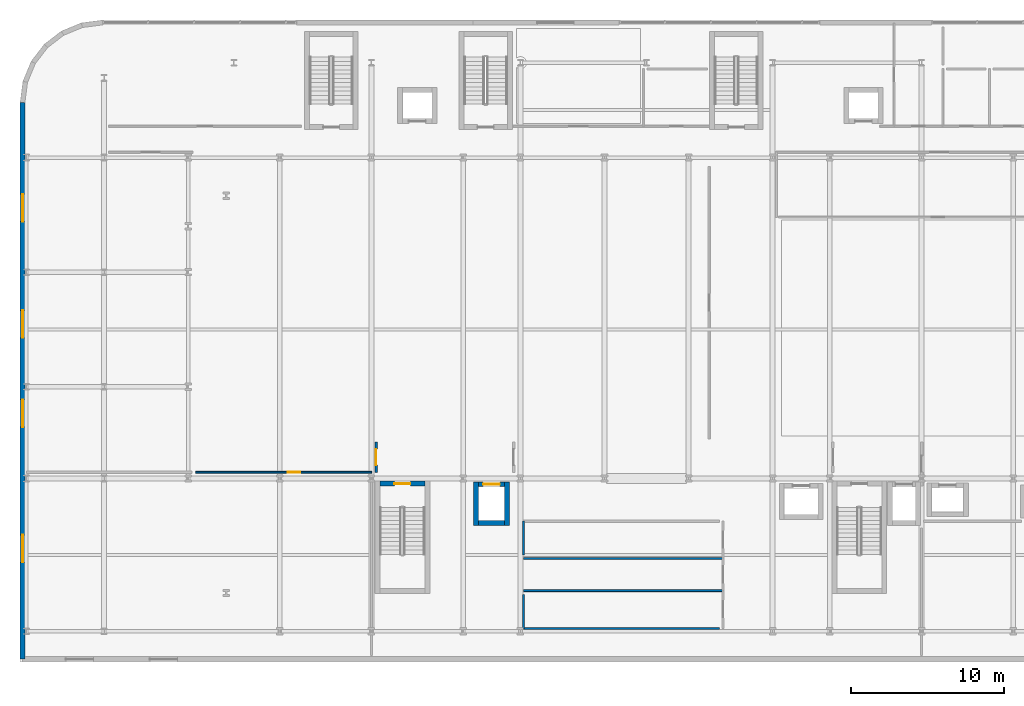
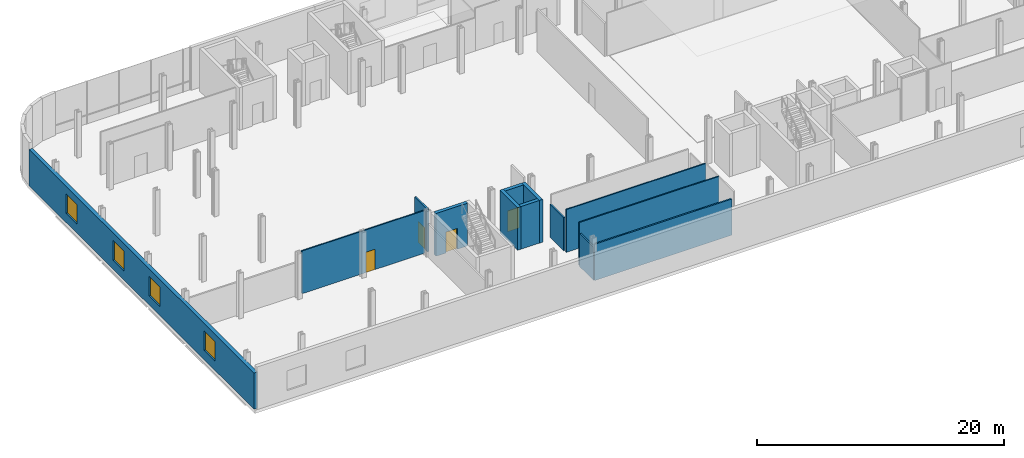
# One storey, part 17 of 25: 13 walls, 4 doors, 4 windows, 8 openings.
"""IFC4 building model written with IfcOpenShell, lengths in metres."""

from ifc_helpers import new_model, si_unit, direction, frame, frame_2d, origin, place, context, subcontext, project, spatial, rectangle, extrude, material, layer, layer_set, type_object, element, fill, save


model = new_model("IFC4")

# Units and contexts
model_context = context("Model", 3, precision=1e-05, world=origin(), true_north=direction((0.0, 1.0)))
body_context = subcontext(model_context, "Body", "Model", "MODEL_VIEW")
ifc_project = project(units=[si_unit("LENGTHUNIT", "METRE"), si_unit("AREAUNIT", "SQUARE_METRE"), si_unit("VOLUMEUNIT", "CUBIC_METRE"), si_unit("PLANEANGLEUNIT", "RADIAN"), si_unit("MASSUNIT", "GRAM", prefix="KILO")], contexts=[model_context])

# Site, building, storey
site_placement = place(None, origin())
site = spatial("IfcSite", under=ifc_project, at=site_placement, CompositionType="ELEMENT")
building_placement = place(site_placement, origin())
building = spatial("IfcBuilding", under=site, at=building_placement, Name="Brevholm Reach", CompositionType="ELEMENT")
storey_placement = place(building_placement, frame((0.0, 0.0, 4.5)))
storey = spatial("IfcBuildingStorey", under=building, at=storey_placement, Name="L01", CompositionType="ELEMENT", Elevation=4.5)

# Wall, opening, door
ifc_material_1 = material(Name="Concrete C60/75", Category="concrete")
ifc_layer_1 = layer(ifc_material_1, 0.320068359375)
ifc_layer_set_1 = layer_set([ifc_layer_1], Name="Concrete C60/75")
wall_type_1 = type_object("IfcWallType", Name="WAL-COR-320", PredefinedType="SHEAR", material=ifc_layer_set_1)
wall_1_placement = place(storey_placement, frame((15.5, 9.659912109375, 0.0), z_axis=(0.0, 0.0, 1.0), x_axis=(-1.0, 0.0, 0.0)))
wall_1 = element("IfcWall", 1, at=wall_1_placement, inside=storey, type_object=wall_type_1, Name="L01 Escape Stair ST-1 Core Wall N", PredefinedType="SHEAR", context=body_context, shape_type="SweptSolid", body=[
    extrude(rectangle(XDim=2.949951171875, YDim=0.320068359375, at=frame_2d((1.47509765625, 0.0))), origin(), (0.0, 0.0, 1.0), 4.219970703125),
])
opening_1_placement = place(wall_1_placement, frame((0.949951171875, 0.0, 0.0)))
opening_1 = element("IfcOpeningElement", 2, at=opening_1_placement, cuts=wall_1, Name="Opening SD-ST-1", PredefinedType="OPENING", context=body_context, shape_type="SweptSolid", body=[
    extrude(rectangle(XDim=1.050048828125, YDim=2.06005859375, at=frame_2d((0.52490234375, 1.030029296875))), frame((0.0, 0.169921875, 0.0), z_axis=(0.0, -1.0, 0.0), x_axis=(1.0, 0.0, 0.0)), (0.0, 0.0, 1.0), 0.340087890625),
])
ifc_material_2 = material(Name="Hardwood-Lipped Steel-Core Fire and Smoke Door", Category="steel")
door_type_1 = type_object("IfcDoorType", Name="DOR-INT-FD60S", OperationType="NOTDEFINED", PredefinedType="DOOR", material=ifc_material_2)
door_1_placement = place(opening_1_placement, origin())
door_1 = element("IfcDoor", 3, at=door_1_placement, inside=storey, type_object=door_type_1, Name="L01 Protected Stair ST-1 Lobby Door", OperationType="SINGLE_SWING_LEFT", OverallHeight=2.06005859375, OverallWidth=1.050048828125, PredefinedType="DOOR", context=body_context, shape_type="SweptSolid", body=[
    extrude(rectangle(XDim=1.050048828125, YDim=2.06005859375, at=frame_2d((0.52490234375, 1.030029296875))), frame((0.0, 0.02490234375, 0.0), z_axis=(0.0, -1.0, 0.0), x_axis=(1.0, 0.0, 0.0)), (0.0, 0.0, 1.0), 0.050048828125),
])
fill(opening_1, door_1)

# Walls
for number, where, z_axis, x_axis, name in (
    (4, (18.830078125, 6.919921875, 0.0), (0.0, 0.0, 1.0), (0.0, 1.0, 0.0), "L01 Lift FFL-1 Shaft Wall W"),
    (5, (20.8701171875, 6.919921875, 0.0), (0.0, 0.0, 1.0), (0.0, 1.0, 0.0), "L01 Lift FFL-1 Shaft Wall E"),
):
    element("IfcWall", number, at=place(storey_placement, frame(where, z_axis=z_axis, x_axis=x_axis)), inside=storey, type_object=wall_type_1, Name=name, PredefinedType="SHEAR", context=body_context, shape_type="SweptSolid", body=[
        extrude(rectangle(XDim=2.860107421875, YDim=0.320068359375, at=frame_2d((1.43017578125, 0.0))), origin(), (0.0, 0.0, 1.0), 4.219970703125),
    ])
wall_2_placement = place(storey_placement, frame((18.989990234375, 7.080078125, 0.0), z_axis=(0.0, 0.0, 1.0), x_axis=(1.0, 0.0, 0.0)))
element("IfcWall", 6, at=wall_2_placement, inside=storey, type_object=wall_type_1, Name="L01 Lift FFL-1 Shaft Wall S", PredefinedType="SHEAR", context=body_context, shape_type="SweptSolid", body=[
    extrude(rectangle(XDim=1.719970703125, YDim=0.320068359375, at=frame_2d((0.85986328125, 0.0))), origin(), (0.0, 0.0, 1.0), 4.219970703125),
])

# Wall, opening, door
wall_3_placement = place(storey_placement, frame((18.989990234375, 9.6201171875, 0.0), z_axis=(0.0, 0.0, 1.0), x_axis=(1.0, 0.0, 0.0)))
wall_3 = element("IfcWall", 7, at=wall_3_placement, inside=storey, type_object=wall_type_1, Name="L01 Lift FFL-1 Shaft Wall N", PredefinedType="SHEAR", context=body_context, shape_type="SweptSolid", body=[
    extrude(rectangle(XDim=1.719970703125, YDim=0.320068359375, at=frame_2d((0.85986328125, 0.0))), origin(), (0.0, 0.0, 1.0), 4.219970703125),
])
opening_2_placement = place(wall_3_placement, frame((0.31005859375, 0.0, 0.0)))
opening_2 = element("IfcOpeningElement", 8, at=opening_2_placement, cuts=wall_3, Name="Opening LD-FFL-1", PredefinedType="OPENING", context=body_context, shape_type="SweptSolid", body=[
    extrude(rectangle(XDim=1.10009765625, YDim=2.06005859375, at=frame_2d((0.550048828125, 1.030029296875))), frame((0.0, 0.169921875, 0.0), z_axis=(0.0, -1.0, 0.0), x_axis=(1.0, 0.0, 0.0)), (0.0, 0.0, 1.0), 0.340087890625),
])
ifc_material_3 = material(Name="Brushed Stainless Steel Fire-Rated Sliding Lift Door", Category="steel")
door_type_2 = type_object("IfcDoorType", Name="DOR-LFT-1100", OperationType="NOTDEFINED", PredefinedType="DOOR", material=ifc_material_3)
door_2_placement = place(opening_2_placement, origin())
door_2 = element("IfcDoor", 9, at=door_2_placement, inside=storey, type_object=door_type_2, Name="L01 Lift FFL-1 Sliding Landing Door", OperationType="SLIDING_TO_LEFT", OverallHeight=2.06005859375, OverallWidth=1.10009765625, PredefinedType="DOOR", context=body_context, shape_type="SweptSolid", body=[
    extrude(rectangle(XDim=1.10009765625, YDim=2.06005859375, at=frame_2d((0.550048828125, 1.030029296875))), frame((0.0, 0.02490234375, 0.0), z_axis=(0.0, -1.0, 0.0), x_axis=(1.0, 0.0, 0.0)), (0.0, 0.0, 1.0), 0.050048828125),
])
fill(opening_2, door_2)

# Wall, openings, windows
ifc_material_4 = material(Name="Concrete C40/50", Category="concrete")
ifc_layer_2 = layer(ifc_material_4, 0.340087890625)
ifc_layer_set_2 = layer_set([ifc_layer_2], Name="Concrete C40/50")
wall_type_2 = type_object("IfcWallType", Name="WAL-EXT-340", PredefinedType="STANDARD", material=ifc_layer_set_2)
wall_4_placement = place(storey_placement, frame((-10.830078125, 34.60009765625, 0.0), z_axis=(0.0, 0.0, 1.0), x_axis=(0.0, -1.0, 0.0)))
wall_4 = element("IfcWall", 10, at=wall_4_placement, inside=storey, type_object=wall_type_2, Name="L01 Facade Wall WAL-L01-W", PredefinedType="STANDARD", context=body_context, shape_type="SweptSolid", body=[
    extrude(rectangle(XDim=36.43017578125, YDim=0.340087890625, at=frame_2d((18.215087890625, 0.0))), origin(), (0.0, 0.0, 1.0), 3.582763671875),
])
opening_3_placement = place(wall_4_placement, frame((28.300048828125, 0.0, 0.89990234375)))
opening_3 = element("IfcOpeningElement", 11, at=opening_3_placement, cuts=wall_4, Name="Opening WN-01", PredefinedType="OPENING", context=body_context, shape_type="SweptSolid", body=[
    extrude(rectangle(XDim=1.800048828125, YDim=1.949951171875, at=frame_2d((0.89990234375, 0.97509765625))), frame((0.0, 0.179931640625, 0.0), z_axis=(0.0, -1.0, 0.0), x_axis=(1.0, 0.0, 0.0)), (0.0, 0.0, 1.0), 0.360107421875),
])
opening_4_placement = place(wall_4_placement, frame((19.449951171875, 0.0, 0.89990234375)))
opening_4 = element("IfcOpeningElement", 12, at=opening_4_placement, cuts=wall_4, Name="Opening WN-01", PredefinedType="OPENING", context=body_context, shape_type="SweptSolid", body=[
    extrude(rectangle(XDim=1.800048828125, YDim=1.949951171875, at=frame_2d((0.89990234375, 0.97509765625))), frame((0.0, 0.179931640625, 0.0), z_axis=(0.0, -1.0, 0.0), x_axis=(1.0, 0.0, 0.0)), (0.0, 0.0, 1.0), 0.360107421875),
])
opening_5_placement = place(wall_4_placement, frame((13.60009765625, 0.0, 0.89990234375)))
opening_5 = element("IfcOpeningElement", 13, at=opening_5_placement, cuts=wall_4, Name="Opening WN-01", PredefinedType="OPENING", context=body_context, shape_type="SweptSolid", body=[
    extrude(rectangle(XDim=1.800048828125, YDim=1.949951171875, at=frame_2d((0.89990234375, 0.97509765625))), frame((0.0, 0.179931640625, 0.0), z_axis=(0.0, -1.0, 0.0), x_axis=(1.0, 0.0, 0.0)), (0.0, 0.0, 1.0), 0.360107421875),
])
opening_6_placement = place(wall_4_placement, frame((6.0, 0.0, 0.89990234375)))
opening_6 = element("IfcOpeningElement", 14, at=opening_6_placement, cuts=wall_4, Name="Opening WN-01", PredefinedType="OPENING", context=body_context, shape_type="SweptSolid", body=[
    extrude(rectangle(XDim=1.800048828125, YDim=1.949951171875, at=frame_2d((0.89990234375, 0.97509765625))), frame((0.0, 0.179931640625, 0.0), z_axis=(0.0, -1.0, 0.0), x_axis=(1.0, 0.0, 0.0)), (0.0, 0.0, 1.0), 0.360107421875),
])
ifc_material_5 = material(Name="Dark Anodised Aluminium and Solar-Control IGU Glass", Category="aluminium")
window_type = type_object("IfcWindowType", Name="WIN-SCH-1800", PartitioningType="SINGLE_PANEL", PredefinedType="WINDOW", material=ifc_material_5)
window_1_placement = place(opening_3_placement, origin())
window_1 = element("IfcWindow", 15, at=window_1_placement, inside=storey, type_object=window_type, Name="L01 Window WIN-L01-W-1", OverallHeight=1.949951171875, OverallWidth=1.800048828125, PartitioningType="SINGLE_PANEL", PredefinedType="WINDOW", context=body_context, shape_type="SweptSolid", body=[
    extrude(rectangle(XDim=1.800048828125, YDim=1.949951171875, at=frame_2d((0.89990234375, 0.97509765625))), frame((0.0, 0.030029296875, 0.0), z_axis=(0.0, -1.0, 0.0), x_axis=(1.0, 0.0, 0.0)), (0.0, 0.0, 1.0), 0.06005859375),
])
fill(opening_3, window_1)
window_2_placement = place(opening_4_placement, origin())
window_2 = element("IfcWindow", 16, at=window_2_placement, inside=storey, type_object=window_type, Name="L01 Window WIN-L01-W-2", OverallHeight=1.949951171875, OverallWidth=1.800048828125, PartitioningType="SINGLE_PANEL", PredefinedType="WINDOW", context=body_context, shape_type="SweptSolid", body=[
    extrude(rectangle(XDim=1.800048828125, YDim=1.949951171875, at=frame_2d((0.89990234375, 0.97509765625))), frame((0.0, 0.030029296875, 0.0), z_axis=(0.0, -1.0, 0.0), x_axis=(1.0, 0.0, 0.0)), (0.0, 0.0, 1.0), 0.06005859375),
])
fill(opening_4, window_2)
window_3_placement = place(opening_5_placement, origin())
window_3 = element("IfcWindow", 17, at=window_3_placement, inside=storey, type_object=window_type, Name="L01 Window WIN-L01-W-3", OverallHeight=1.949951171875, OverallWidth=1.800048828125, PartitioningType="SINGLE_PANEL", PredefinedType="WINDOW", context=body_context, shape_type="SweptSolid", body=[
    extrude(rectangle(XDim=1.800048828125, YDim=1.949951171875, at=frame_2d((0.89990234375, 0.97509765625))), frame((0.0, 0.030029296875, 0.0), z_axis=(0.0, -1.0, 0.0), x_axis=(1.0, 0.0, 0.0)), (0.0, 0.0, 1.0), 0.06005859375),
])
fill(opening_5, window_3)
window_4_placement = place(opening_6_placement, origin())
window_4 = element("IfcWindow", 18, at=window_4_placement, inside=storey, type_object=window_type, Name="L01 Window WIN-L01-W-4", OverallHeight=1.949951171875, OverallWidth=1.800048828125, PartitioningType="SINGLE_PANEL", PredefinedType="WINDOW", context=body_context, shape_type="SweptSolid", body=[
    extrude(rectangle(XDim=1.800048828125, YDim=1.949951171875, at=frame_2d((0.89990234375, 0.97509765625))), frame((0.0, 0.030029296875, 0.0), z_axis=(0.0, -1.0, 0.0), x_axis=(1.0, 0.0, 0.0)), (0.0, 0.0, 1.0), 0.06005859375),
])
fill(opening_6, window_4)

# Walls
ifc_material_6 = material(Name="Acoustic Fire-Rated Classroom Gypsum Partition 120 mm", Category="gypsum")
ifc_layer_3 = layer(ifc_material_6, 0.1201171875)
ifc_layer_set_3 = layer_set([ifc_layer_3], Name="Acoustic Fire-Rated Classroom Gypsum Partition 120 mm")
wall_type_3 = type_object("IfcWallType", Name="WAL-PRT-120", PredefinedType="PARTITIONING", material=ifc_layer_set_3)
for number, where, z_axis, x_axis, name in (
    (19, (21.949951171875, 2.656982421875, 0.0), (0.0, 0.0, 1.0), (1.0, 0.0, 0.0), "L01 Internal Partition 004"),
    (20, (21.949951171875, 4.764892578125, 0.0), (0.0, 0.0, 1.0), (1.0, 0.0, 0.0), "L01 Internal Partition 005"),
):
    element("IfcWall", number, at=place(storey_placement, frame(where, z_axis=z_axis, x_axis=x_axis)), inside=storey, type_object=wall_type_3, Name=name, PredefinedType="PARTITIONING", context=body_context, shape_type="SweptSolid", body=[
        extrude(rectangle(XDim=13.046142578125, YDim=0.1201171875, at=frame_2d((6.52294921875, 0.0))), origin(), (0.0, 0.0, 1.0), 4.219970703125),
    ])

# Wall, opening, door
wall_5_placement = place(storey_placement, frame((0.5, 10.39990234375, 0.0), z_axis=(0.0, 0.0, 1.0), x_axis=(1.0, 0.0, 0.0)))
wall_5 = element("IfcWall", 21, at=wall_5_placement, inside=storey, type_object=wall_type_3, Name="L01 Internal Partition 022", PredefinedType="PARTITIONING", context=body_context, shape_type="SweptSolid", body=[
    extrude(rectangle(XDim=11.51123046875, YDim=0.1201171875, at=frame_2d((5.755615234375, 0.0))), origin(), (0.0, 0.0, 1.0), 4.219970703125),
])
opening_7_placement = place(wall_5_placement, frame((6.005615234375, 0.0, 0.0)))
opening_7 = element("IfcOpeningElement", 22, at=opening_7_placement, cuts=wall_5, Name="Opening ID-02", PredefinedType="OPENING", context=body_context, shape_type="SweptSolid", body=[
    extrude(rectangle(XDim=0.820068359375, YDim=2.02001953125, at=frame_2d((0.41015625, 1.010009765625))), frame((0.0, 0.070068359375, 0.0), z_axis=(0.0, -1.0, 0.0), x_axis=(1.0, 0.0, 0.0)), (0.0, 0.0, 1.0), 0.14013671875),
])
ifc_material_7 = material(Name="Moisture-Resistant Painted Timber Fire-Rated Riser and Service Door", Category="wood")
door_type_3 = type_object("IfcDoorType", Name="DOR-SRV-820", OperationType="NOTDEFINED", PredefinedType="DOOR", material=ifc_material_7)
door_3_placement = place(opening_7_placement, origin())
door_3 = element("IfcDoor", 23, at=door_3_placement, inside=storey, type_object=door_type_3, Name="L01 Internal Door 019", OperationType="SINGLE_SWING_LEFT", OverallHeight=2.02001953125, OverallWidth=0.820068359375, PredefinedType="DOOR", context=body_context, shape_type="SweptSolid", body=[
    extrude(rectangle(XDim=0.820068359375, YDim=2.02001953125, at=frame_2d((0.41015625, 1.010009765625))), frame((0.0, 0.02490234375, 0.0), z_axis=(0.0, -1.0, 0.0), x_axis=(1.0, 0.0, 0.0)), (0.0, 0.0, 1.0), 0.050048828125),
])
fill(opening_7, door_3)

# Walls
ifc_material_8 = material(Name="Twin-Stud Acoustic Fire-Rated Gypsum Partition 140 mm", Category="gypsum")
ifc_layer_4 = layer(ifc_material_8, 0.139892578125)
ifc_layer_set_4 = layer_set([ifc_layer_4], Name="Twin-Stud Acoustic Fire-Rated Gypsum Partition 140 mm")
wall_type_4 = type_object("IfcWallType", Name="WAL-PRT-140", PredefinedType="PARTITIONING", material=ifc_layer_set_4)
wall_6_placement = place(storey_placement, frame((21.949951171875, 0.179931640625, 0.0), z_axis=(0.0, 0.0, 1.0), x_axis=(1.0, 0.0, 0.0)))
element("IfcWall", 24, at=wall_6_placement, inside=storey, type_object=wall_type_4, Name="L01 Internal Partition 038", PredefinedType="PARTITIONING", context=body_context, shape_type="SweptSolid", body=[
    extrude(rectangle(XDim=12.81005859375, YDim=0.139892578125, at=frame_2d((6.405029296875, 0.0))), origin(), (0.0, 0.0, 1.0), 3.582763671875),
])
wall_7_placement = place(storey_placement, frame((21.949951171875, 0.179931640625, 0.0), z_axis=(0.0, 0.0, 1.0), x_axis=(0.0, 1.0, 0.0)))
element("IfcWall", 25, at=wall_7_placement, inside=storey, type_object=wall_type_4, Name="L01 Internal Partition 039", PredefinedType="PARTITIONING", context=body_context, shape_type="SweptSolid", body=[
    extrude(rectangle(XDim=2.237060546875, YDim=0.139892578125, at=frame_2d((1.11865234375, 0.0))), origin(), (0.0, 0.0, 1.0), 3.268310546875),
])
wall_8_placement = place(storey_placement, frame((21.949951171875, 5.0048828125, 0.0), z_axis=(0.0, 0.0, 1.0), x_axis=(0.0, 1.0, 0.0)))
element("IfcWall", 26, at=wall_8_placement, inside=storey, type_object=wall_type_4, Name="L01 Internal Partition 041", PredefinedType="PARTITIONING", context=body_context, shape_type="SweptSolid", body=[
    extrude(rectangle(XDim=2.195068359375, YDim=0.139892578125, at=frame_2d((1.09765625, 0.0))), origin(), (0.0, 0.0, 1.0), 3.268310546875),
])

# Wall, opening, door
ifc_material_9 = material(Name="Twin-Frame Fire-Rated Gypsum Board and Mineral Wool 160 mm", Category="gypsum")
ifc_layer_5 = layer(ifc_material_9, 0.159912109375)
ifc_layer_set_5 = layer_set([ifc_layer_5], Name="Twin-Frame Fire-Rated Gypsum Board and Mineral Wool 160 mm")
wall_type_5 = type_object("IfcWallType", Name="WAL-PRT-160", PredefinedType="PARTITIONING", material=ifc_layer_set_5)
wall_9_placement = place(storey_placement, frame((12.300048828125, 10.388671875, 0.0), z_axis=(0.0, 0.0, 1.0), x_axis=(0.0, 1.0, 0.0)))
wall_9 = element("IfcWall", 27, at=wall_9_placement, inside=storey, type_object=wall_type_5, Name="L01 Internal Partition 006", PredefinedType="PARTITIONING", context=body_context, shape_type="SweptSolid", body=[
    extrude(rectangle(XDim=2.01123046875, YDim=0.159912109375, at=frame_2d((1.005615234375, 0.0))), origin(), (0.0, 0.0, 1.0), 4.219970703125),
])
opening_8_placement = place(wall_9_placement, frame((0.480712890625, 0.0, 0.0)))
opening_8 = element("IfcOpeningElement", 28, at=opening_8_placement, cuts=wall_9, Name="Opening FD-01", PredefinedType="OPENING", context=body_context, shape_type="SweptSolid", body=[
    extrude(rectangle(XDim=1.050048828125, YDim=2.06005859375, at=frame_2d((0.52490234375, 1.030029296875))), frame((0.0, 0.08984375, 0.0), z_axis=(0.0, -1.0, 0.0), x_axis=(1.0, 0.0, 0.0)), (0.0, 0.0, 1.0), 0.179931640625),
])
door_4_placement = place(opening_8_placement, origin())
door_4 = element("IfcDoor", 29, at=door_4_placement, inside=storey, type_object=door_type_1, Name="L01 Internal Door 004", OperationType="SINGLE_SWING_RIGHT", OverallHeight=2.06005859375, OverallWidth=1.050048828125, PredefinedType="DOOR", context=body_context, shape_type="SweptSolid", body=[
    extrude(rectangle(XDim=1.050048828125, YDim=2.06005859375, at=frame_2d((0.52490234375, 1.030029296875))), frame((0.0, 0.02490234375, 0.0), z_axis=(0.0, -1.0, 0.0), x_axis=(1.0, 0.0, 0.0)), (0.0, 0.0, 1.0), 0.050048828125),
])
fill(opening_8, door_4)

save(model, "model.ifc")
